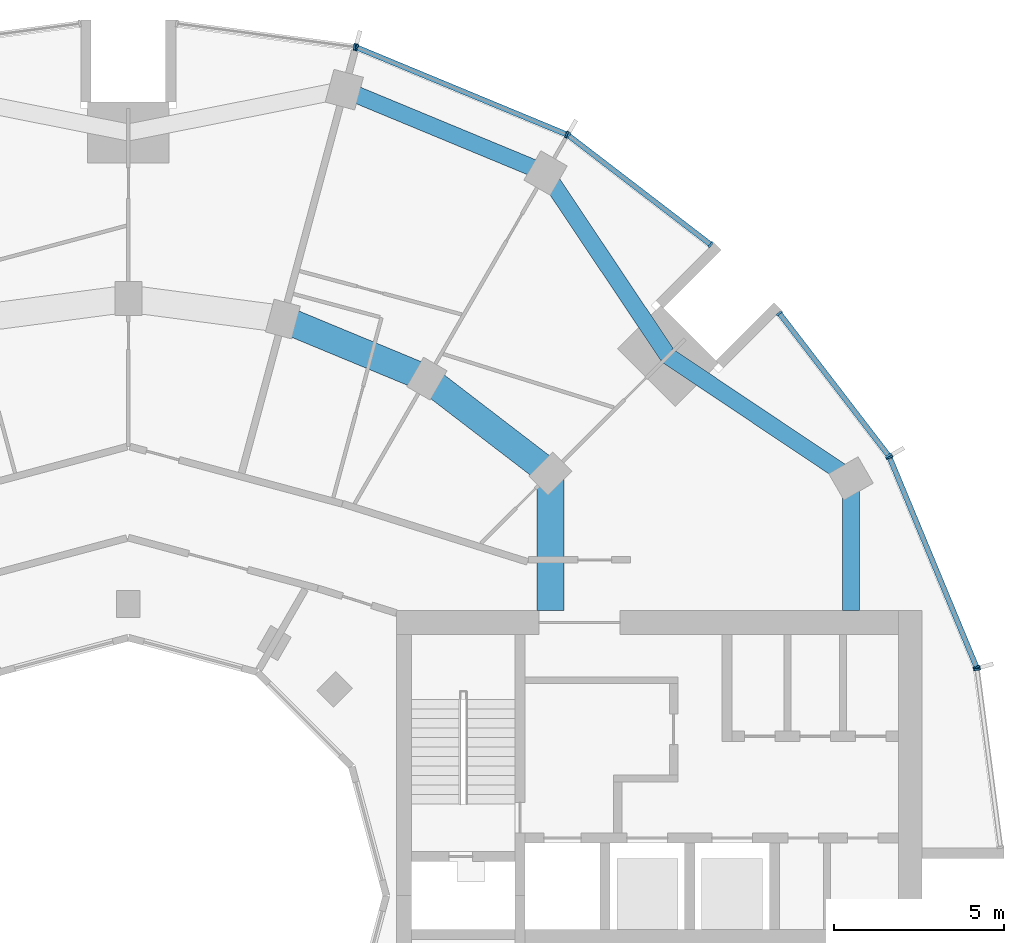
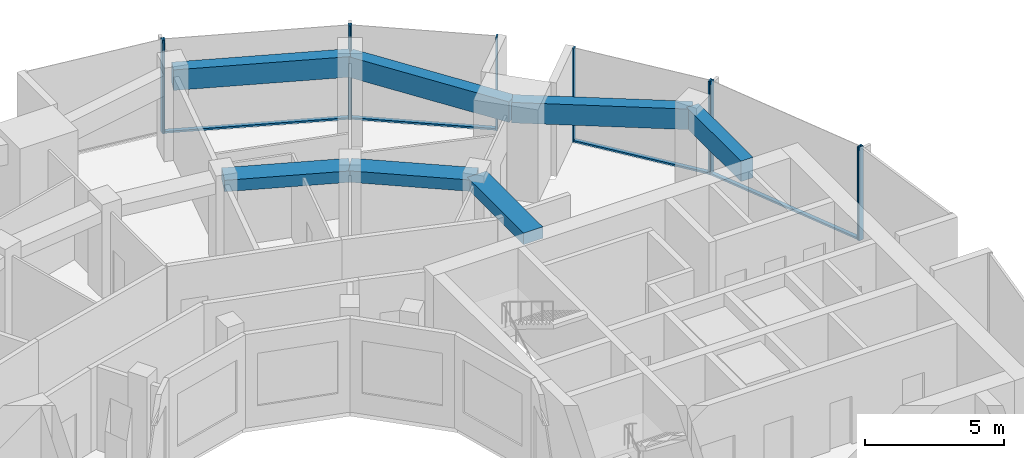
# One storey, part 6 of 15: 14 members, 7 beams, 6 elements without a shape of their own.
"""IFC4 building model written with IfcOpenShell, lengths in metres."""

from ifc_helpers import new_model, si_unit, direction, frame, origin, origin_2d, place, context, subcontext, project, spatial, rectangle, extrude, material, layer, layer_set, material_profile, profile_set, type_object, element, aggregate, save


model = new_model("IFC4")

# Units and contexts
model_context = context("Model", 3, precision=1e-05, world=origin(), true_north=direction((0.0, 1.0)))
body_context = subcontext(model_context, "Body", "Model", "MODEL_VIEW")
ifc_project = project(units=[si_unit("LENGTHUNIT", "METRE"), si_unit("AREAUNIT", "SQUARE_METRE"), si_unit("VOLUMEUNIT", "CUBIC_METRE"), si_unit("PLANEANGLEUNIT", "RADIAN"), si_unit("MASSUNIT", "GRAM", prefix="KILO")], contexts=[model_context])

# Site, building, storey
site_placement = place(None, origin())
site = spatial("IfcSite", under=ifc_project, at=site_placement, CompositionType="ELEMENT")
building_placement = place(site_placement, origin())
building = spatial("IfcBuilding", under=site, at=building_placement, Name="Torre Brocal", CompositionType="ELEMENT")
storey_placement = place(building_placement, frame((0.0, 0.0, 178.199951171875)))
storey = spatial("IfcBuildingStorey", under=building, at=storey_placement, Name="L41", CompositionType="ELEMENT", Elevation=178.199951171875)

# Curtain wall, members
ifc_material_1 = material(Name="Aluminium and glass", Category="aluminium")
ifc_layer_1 = layer(ifc_material_1, 0.199951171875)
ifc_layer_set_1 = layer_set([ifc_layer_1], Name="Aluminium and glass")
curtain_wall_type_1 = type_object("IfcCurtainWallType", Name="CW-1 CURTAIN WALL 4100 HIGH", PredefinedType="NOTDEFINED", material=ifc_layer_set_1)
curtain_wall_1_placement = place(storey_placement, origin())
curtain_wall_1 = element("IfcCurtainWall", 1, at=curtain_wall_1_placement, inside=storey, type_object=curtain_wall_type_1, Name="CW-1 RUN 2", PredefinedType="NOTDEFINED")
ifc_material_2 = material(Name="Aluminium, dark anodised", Category="aluminium")
ifc_material_profile_1 = material_profile(ifc_material_2, rectangle(XDim=0.199951171875, YDim=0.06005859375, at=origin_2d()), Name="CW-1 MULLION 60X200")
ifc_profile_set_1 = profile_set([ifc_material_profile_1], Name="Aluminium, dark anodised")
member_type_1 = type_object("IfcMemberType", Name="CW-1 MULLION 60X200", PredefinedType="MULLION", material=ifc_profile_set_1)
member_1_placement = place(storey_placement, frame((105.005126953125, 81.73095703125, 0.0), z_axis=(0.0, 0.0, 1.0), x_axis=(-0.923879532525, -0.382683432333, 0.0)))
member_1 = element("IfcMember", 2, at=member_1_placement, type_object=member_type_1, Name="CW1-4 mullion 1", PredefinedType="MULLION", context=body_context, shape_type="SweptSolid", body=[
    extrude(rectangle(XDim=0.199951171875, YDim=0.06005859375, at=origin_2d()), origin(), (0.0, 0.0, 1.0), 4.10009765625),
])
member_2_placement = place(storey_placement, frame((102.440673828125, 87.921875, 0.0), z_axis=(0.0, 0.0, 1.0), x_axis=(-0.923879532525, -0.382683432333, 0.0)))
member_2 = element("IfcMember", 3, at=member_2_placement, type_object=member_type_1, Name="CW1-4 mullion 2", PredefinedType="MULLION", context=body_context, shape_type="SweptSolid", body=[
    extrude(rectangle(XDim=0.199951171875, YDim=0.06005859375, at=origin_2d()), origin(), (0.0, 0.0, 1.0), 4.10009765625),
])

curtain_wall_2_placement = place(storey_placement, origin())
curtain_wall_2 = element("IfcCurtainWall", 4, at=curtain_wall_2_placement, inside=storey, type_object=curtain_wall_type_1, Name="CW-1 RUN 3", PredefinedType="NOTDEFINED")
member_3_placement = place(storey_placement, frame((102.4111328125, 87.973388671875, 0.0), z_axis=(0.0, 0.0, 1.0), x_axis=(-0.793353340259, -0.60876142905, 0.0)))
member_3 = element("IfcMember", 5, at=member_3_placement, type_object=member_type_1, Name="CW1-4 mullion 1", PredefinedType="MULLION", context=body_context, shape_type="SweptSolid", body=[
    extrude(rectangle(XDim=0.199951171875, YDim=0.06005859375, at=origin_2d()), origin(), (0.0, 0.0, 1.0), 4.10009765625),
])
member_4_placement = place(storey_placement, frame((99.19140625, 92.16943359375, 0.0), z_axis=(0.0, 0.0, 1.0), x_axis=(-0.793353340259, -0.60876142905, 0.0)))
member_4 = element("IfcMember", 6, at=member_4_placement, type_object=member_type_1, Name="CW1-4 mullion 2", PredefinedType="MULLION", context=body_context, shape_type="SweptSolid", body=[
    extrude(rectangle(XDim=0.199951171875, YDim=0.06005859375, at=origin_2d()), origin(), (0.0, 0.0, 1.0), 4.10009765625),
])

curtain_wall_3_placement = place(storey_placement, origin())
curtain_wall_3 = element("IfcCurtainWall", 7, at=curtain_wall_3_placement, inside=storey, type_object=curtain_wall_type_1, Name="CW-1 RUN 4", PredefinedType="NOTDEFINED")
member_5_placement = place(storey_placement, frame((97.16943359375, 94.19140625, 0.0), z_axis=(0.0, 0.0, 1.0), x_axis=(-0.60876142905, -0.793353340259, 0.0)))
member_5 = element("IfcMember", 8, at=member_5_placement, type_object=member_type_1, Name="CW1-4 mullion 1", PredefinedType="MULLION", context=body_context, shape_type="SweptSolid", body=[
    extrude(rectangle(XDim=0.199951171875, YDim=0.06005859375, at=origin_2d()), origin(), (0.0, 0.0, 1.0), 4.10009765625),
])
member_6_placement = place(storey_placement, frame((92.973388671875, 97.4111328125, 0.0), z_axis=(0.0, 0.0, 1.0), x_axis=(-0.60876142905, -0.793353340259, 0.0)))
member_6 = element("IfcMember", 9, at=member_6_placement, type_object=member_type_1, Name="CW1-4 mullion 2", PredefinedType="MULLION", context=body_context, shape_type="SweptSolid", body=[
    extrude(rectangle(XDim=0.199951171875, YDim=0.06005859375, at=origin_2d()), origin(), (0.0, 0.0, 1.0), 4.10009765625),
])

curtain_wall_4_placement = place(storey_placement, origin())
curtain_wall_4 = element("IfcCurtainWall", 10, at=curtain_wall_4_placement, inside=storey, type_object=curtain_wall_type_1, Name="CW-1 RUN 5", PredefinedType="NOTDEFINED")
member_7_placement = place(storey_placement, frame((92.921875, 97.440673828125, 0.0), z_axis=(0.0, 0.0, 1.0), x_axis=(-0.382683432333, -0.923879532525, 0.0)))
member_7 = element("IfcMember", 11, at=member_7_placement, type_object=member_type_1, Name="CW1-4 mullion 1", PredefinedType="MULLION", context=body_context, shape_type="SweptSolid", body=[
    extrude(rectangle(XDim=0.199951171875, YDim=0.06005859375, at=origin_2d()), origin(), (0.0, 0.0, 1.0), 4.10009765625),
])
member_8_placement = place(storey_placement, frame((86.73095703125, 100.005126953125, 0.0), z_axis=(0.0, 0.0, 1.0), x_axis=(-0.382683432333, -0.923879532525, 0.0)))
member_8 = element("IfcMember", 12, at=member_8_placement, type_object=member_type_1, Name="CW1-4 mullion 2", PredefinedType="MULLION", context=body_context, shape_type="SweptSolid", body=[
    extrude(rectangle(XDim=0.199951171875, YDim=0.06005859375, at=origin_2d()), origin(), (0.0, 0.0, 1.0), 4.10009765625),
])

# Curtain wall, member
curtain_wall_5_placement = place(storey_placement, origin())
curtain_wall_5 = element("IfcCurtainWall", 13, at=curtain_wall_5_placement, inside=storey, type_object=curtain_wall_type_1, Name="CW-1 RUN 6", PredefinedType="NOTDEFINED")
member_9_placement = place(storey_placement, frame((86.67333984375, 100.0205078125, 0.0), z_axis=(0.0, 0.0, 1.0), x_axis=(-0.13052619222, -0.991444861374, 0.0)))
member_9 = element("IfcMember", 14, at=member_9_placement, type_object=member_type_1, Name="CW1-4 mullion 1", PredefinedType="MULLION", context=body_context, shape_type="SweptSolid", body=[
    extrude(rectangle(XDim=0.199951171875, YDim=0.06005859375, at=origin_2d()), origin(), (0.0, 0.0, 1.0), 4.10009765625),
])
aggregate(curtain_wall_5, [member_9])

# Member
ifc_material_3 = material(Name="Aluminium, dark anodised", Category="aluminium")
ifc_material_profile_2 = material_profile(ifc_material_3, rectangle(XDim=0.159912109375, YDim=0.080078125, at=origin_2d()), Name="CW-1 TRANSOM 160X80")
ifc_profile_set_2 = profile_set([ifc_material_profile_2], Name="Aluminium, dark anodised")
member_type_2 = type_object("IfcMemberType", Name="CW-1 TRANSOM 160X80", PredefinedType="USERDEFINED", material=ifc_profile_set_2)
member_10_placement = place(storey_placement, frame((104.99365234375, 81.758544921875, 0.0400390625), z_axis=(-0.38266457234, 0.923887344364, 0.0), x_axis=(-0.923887344364, -0.38266457234, 0.0)))
member_10 = element("IfcMember", 15, at=member_10_placement, type_object=member_type_2, Name="CW1-4 transom 1.1", ObjectType="TRANSOM", PredefinedType="USERDEFINED", context=body_context, shape_type="SweptSolid", body=[
    extrude(rectangle(XDim=0.159912109375, YDim=0.080078125, at=origin_2d()), origin(), (0.0, 0.0, 1.0), 6.640869140625),
])

aggregate(curtain_wall_1, [member_1, member_2, member_10])

member_11_placement = place(storey_placement, frame((102.392822265625, 87.9970703125, 0.0400390625), z_axis=(-0.60874908096, 0.79336281513, 0.0), x_axis=(-0.79336281513, -0.60874908096, 0.0)))
member_11 = element("IfcMember", 16, at=member_11_placement, type_object=member_type_2, Name="CW1-4 transom 1.1", ObjectType="TRANSOM", PredefinedType="USERDEFINED", context=body_context, shape_type="SweptSolid", body=[
    extrude(rectangle(XDim=0.159912109375, YDim=0.080078125, at=origin_2d()), origin(), (0.0, 0.0, 1.0), 5.22900390625),
])

aggregate(curtain_wall_2, [member_3, member_4, member_11])

member_12_placement = place(storey_placement, frame((97.1455078125, 94.209716796875, 0.0400390625), z_axis=(-0.79336281513, 0.60874908096, 0.0), x_axis=(-0.60874908096, -0.79336281513, 0.0)))
member_12 = element("IfcMember", 17, at=member_12_placement, type_object=member_type_2, Name="CW1-4 transom 1.1", ObjectType="TRANSOM", PredefinedType="USERDEFINED", context=body_context, shape_type="SweptSolid", body=[
    extrude(rectangle(XDim=0.159912109375, YDim=0.080078125, at=origin_2d()), origin(), (0.0, 0.0, 1.0), 5.22900390625),
])

aggregate(curtain_wall_3, [member_5, member_6, member_12])

member_13_placement = place(storey_placement, frame((92.89404296875, 97.452392578125, 0.0400390625), z_axis=(-0.923887344364, 0.38266457234, 0.0), x_axis=(-0.38266457234, -0.923887344364, 0.0)))
member_13 = element("IfcMember", 18, at=member_13_placement, type_object=member_type_2, Name="CW1-4 transom 1.1", ObjectType="TRANSOM", PredefinedType="USERDEFINED", context=body_context, shape_type="SweptSolid", body=[
    extrude(rectangle(XDim=0.159912109375, YDim=0.080078125, at=origin_2d()), origin(), (0.0, 0.0, 1.0), 6.640869140625),
])

aggregate(curtain_wall_4, [member_7, member_8, member_13])

# Curtain wall, member
ifc_material_4 = material(Name="Aluminium and glass", Category="aluminium")
ifc_layer_2 = layer(ifc_material_4, 0.199951171875)
ifc_layer_set_2 = layer_set([ifc_layer_2], Name="Aluminium and glass")
curtain_wall_type_2 = type_object("IfcCurtainWallType", Name="CW-1B CURTAIN WALL 4100 HIGH", PredefinedType="NOTDEFINED", material=ifc_layer_set_2)
curtain_wall_6_placement = place(storey_placement, origin())
curtain_wall_6 = element("IfcCurtainWall", 19, at=curtain_wall_6_placement, inside=storey, type_object=curtain_wall_type_2, Name="CW-1B RUN 1", PredefinedType="NOTDEFINED")
ifc_material_5 = material(Name="Aluminium, dark anodised", Category="aluminium")
ifc_material_profile_3 = material_profile(ifc_material_5, rectangle(XDim=0.199951171875, YDim=0.06005859375, at=origin_2d()), Name="CW-1B MULLION 60X200")
ifc_profile_set_3 = profile_set([ifc_material_profile_3], Name="Aluminium, dark anodised")
member_type_3 = type_object("IfcMemberType", Name="CW-1B MULLION 60X200", PredefinedType="MULLION", material=ifc_profile_set_3)
member_14_placement = place(storey_placement, frame((105.0205078125, 81.67333984375, 0.0), z_axis=(0.0, 0.0, 1.0), x_axis=(-0.991444861374, -0.13052619222, 0.0)))
member_14 = element("IfcMember", 20, at=member_14_placement, type_object=member_type_3, Name="CW1B-4 mullion 2", PredefinedType="MULLION", context=body_context, shape_type="SweptSolid", body=[
    extrude(rectangle(XDim=0.199951171875, YDim=0.06005859375, at=origin_2d()), origin(), (0.0, 0.0, 1.0), 4.10009765625),
])
aggregate(curtain_wall_6, [member_14])

# Beams
ifc_material_6 = material(Name="Concrete C50", Category="concrete")
ifc_material_profile_4 = material_profile(ifc_material_6, rectangle(XDim=0.800048828125, YDim=0.5, at=origin_2d()), Name="RC 800X500")
ifc_profile_set_4 = profile_set([ifc_material_profile_4], Name="Concrete C50")
beam_type_1 = type_object("IfcBeamType", Name="RC BEAM 800X500 C50 TOP 3780", PredefinedType="BEAM", material=ifc_profile_set_4)
beam_1_placement = place(storey_placement, frame((92.445068359375, 87.445068359375, 3.530029296875), z_axis=(-0.793358265959, 0.6087550097, 0.0), x_axis=(-0.6087550097, -0.793358265959, 0.0)))
element("IfcBeam", 21, at=beam_1_placement, inside=storey, type_object=beam_type_1, Name="Beam BT-32", PredefinedType="BEAM", context=body_context, shape_type="SweptSolid", body=[
    extrude(rectangle(XDim=0.800048828125, YDim=0.5, at=origin_2d()), origin(), (0.0, 0.0, 1.0), 4.594482421875),
])
beam_2_placement = place(storey_placement, frame((88.800048828125, 90.241943359375, 3.530029296875), z_axis=(-0.923878240166, 0.382686552348, 0.0), x_axis=(-0.382686552348, -0.923878240166, 0.0)))
element("IfcBeam", 22, at=beam_2_placement, inside=storey, type_object=beam_type_1, Name="Beam BT-32", PredefinedType="BEAM", context=body_context, shape_type="SweptSolid", body=[
    extrude(rectangle(XDim=0.800048828125, YDim=0.5, at=origin_2d()), origin(), (0.0, 0.0, 1.0), 4.5947265625),
])
beam_3_placement = place(storey_placement, frame((92.445068359375, 87.445068359375, 3.530029296875), z_axis=(0.0, -1.0, 0.0), x_axis=(1.0, 0.0, 0.0)))
element("IfcBeam", 23, at=beam_3_placement, inside=storey, type_object=beam_type_1, Name="Beam BT-32", PredefinedType="BEAM", context=body_context, shape_type="SweptSolid", body=[
    extrude(rectangle(XDim=0.800048828125, YDim=0.5, at=origin_2d()), origin(), (0.0, 0.0, 1.0), 4.045166015625),
])
ifc_material_7 = material(Name="Concrete C50", Category="concrete")
ifc_material_profile_5 = material_profile(ifc_material_7, rectangle(XDim=0.5, YDim=0.89990234375, at=origin_2d()), Name="RC 500X900")
ifc_profile_set_5 = profile_set([ifc_material_profile_5], Name="Concrete C50")
beam_type_2 = type_object("IfcBeamType", Name="RC SPANDREL BEAM 500X900 C50 TOP 3780", PredefinedType="SPANDREL", material=ifc_profile_set_5)
for number, where, z_axis, x_axis, name in (
    (24, (101.30419921875, 87.300048828125, 3.330078125), (-0.831076844476, 0.556157602282, 0.0), (-0.556157602282, -0.831076844476, 0.0), "Beam BT-33"),
    (25, (95.909912109375, 90.909912109375, 3.330078125), (-0.556157602282, 0.831076844476, 0.0), (-0.831076844476, -0.556157602282, 0.0), "Beam BT-33"),
):
    element("IfcBeam", number, at=place(storey_placement, frame(where, z_axis=z_axis, x_axis=x_axis)), inside=storey, type_object=beam_type_2, Name=name, PredefinedType="SPANDREL", context=body_context, shape_type="SweptSolid", body=[
        extrude(rectangle(XDim=0.5, YDim=0.89990234375, at=origin_2d()), origin(), (0.0, 0.0, 1.0), 6.49072265625),
    ])
beam_4_placement = place(storey_placement, frame((92.300048828125, 96.30419921875, 3.330078125), z_axis=(-0.923882462513, 0.382676358639, 0.0), x_axis=(-0.382676358639, -0.923882462513, 0.0)))
element("IfcBeam", 26, at=beam_4_placement, inside=storey, type_object=beam_type_2, Name="Beam BT-33", PredefinedType="SPANDREL", context=body_context, shape_type="SweptSolid", body=[
    extrude(rectangle(XDim=0.5, YDim=0.89990234375, at=origin_2d()), origin(), (0.0, 0.0, 1.0), 6.421875),
])
beam_5_placement = place(storey_placement, frame((101.30419921875, 87.300048828125, 3.330078125), z_axis=(0.0, -1.0, 0.0), x_axis=(1.0, 0.0, 0.0)))
element("IfcBeam", 27, at=beam_5_placement, inside=storey, type_object=beam_type_2, Name="Beam BT-33", PredefinedType="SPANDREL", context=body_context, shape_type="SweptSolid", body=[
    extrude(rectangle(XDim=0.5, YDim=0.89990234375, at=origin_2d()), origin(), (0.0, 0.0, 1.0), 3.900146484375),
])

save(model, "model.ifc")
